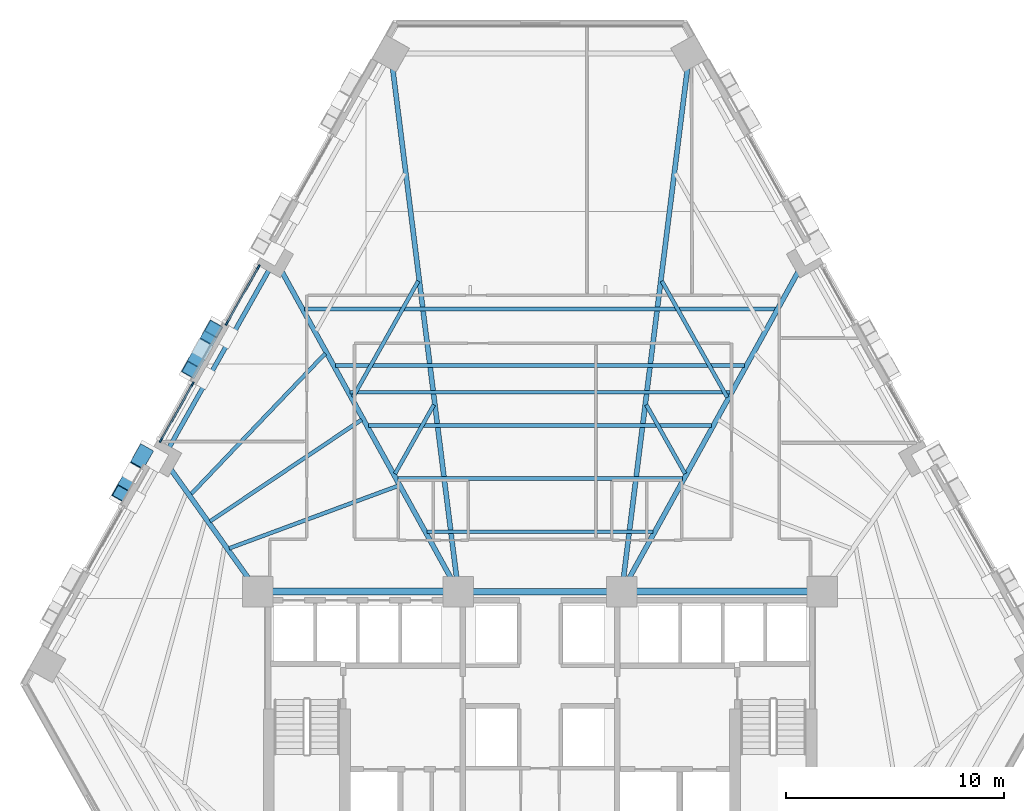
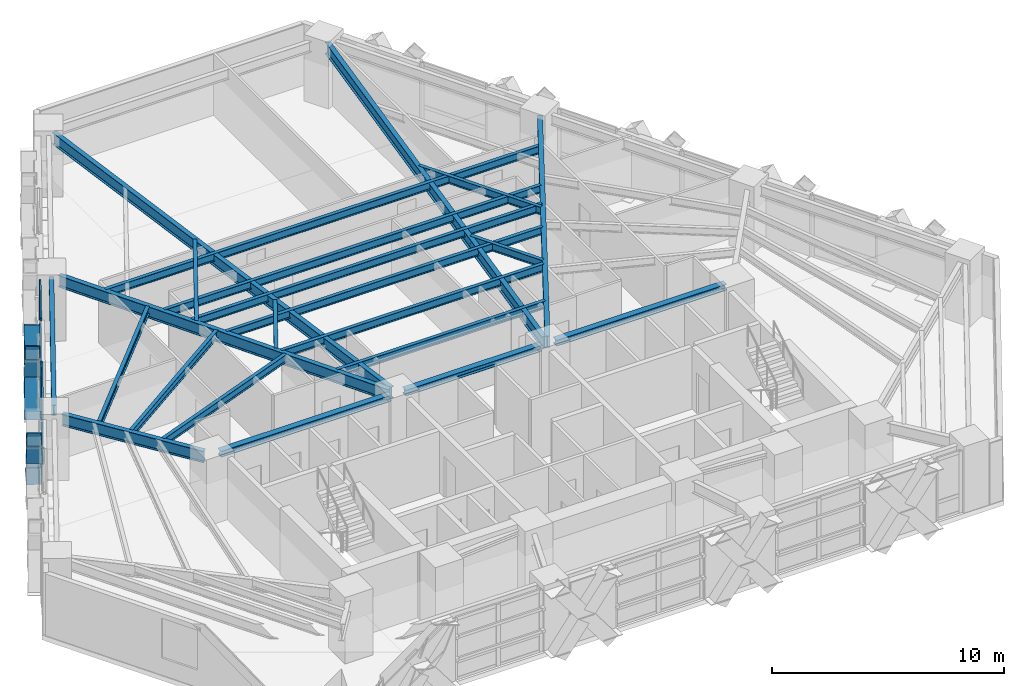
# One storey, part 3 of 13: 22 beams, 15 members, 2 elements without a shape of their own.
"""IFC4 building model written with IfcOpenShell, lengths in metres."""

from ifc_helpers import new_model, si_unit, direction, frame, origin, origin_2d, place, context, subcontext, project, spatial, rectangle, hollow_rectangle, i_section, extrude, material, material_profile, profile_set, type_object, element, aggregate, save


model = new_model("IFC4")

# Units and contexts
model_context = context("Model", 3, precision=1e-05, world=origin(), true_north=direction((0.0, 1.0)))
body_context = subcontext(model_context, "Body", "Model", "MODEL_VIEW")
ifc_project = project(units=[si_unit("LENGTHUNIT", "METRE"), si_unit("AREAUNIT", "SQUARE_METRE"), si_unit("VOLUMEUNIT", "CUBIC_METRE"), si_unit("PLANEANGLEUNIT", "RADIAN"), si_unit("MASSUNIT", "GRAM", prefix="KILO")], contexts=[model_context])

# Site, building, storey
site_placement = place(None, origin())
site = spatial("IfcSite", under=ifc_project, at=site_placement, CompositionType="ELEMENT")
building_placement = place(site_placement, origin())
building = spatial("IfcBuilding", under=site, at=building_placement, Name="Quenlor Broadcast Tower", CompositionType="ELEMENT")
storey_placement = place(building_placement, frame((0.0, 0.0, 52.10009765625)))
storey = spatial("IfcBuildingStorey", under=building, at=storey_placement, Name="L13", CompositionType="ELEMENT", Elevation=52.10009765625)

# Curtain wall, members
ifc_material_1 = material(Name="Architectural Terracotta and Low-E Glazing", Category="masonry")
curtain_wall_type = type_object("IfcCurtainWallType", Name="Unitised Terracotta Curtain Wall System Z1", PredefinedType="NOTDEFINED", material=ifc_material_1)
curtain_wall_1_placement = place(storey_placement, origin())
curtain_wall_1 = element("IfcCurtainWall", 1, at=curtain_wall_1_placement, inside=storey, type_object=curtain_wall_type, Name="L13 Curtain Wall CW1 (L13-NW-G1)", PredefinedType="NOTDEFINED")
ifc_material_2 = material(Name="Aluminium 6063-T6", Category="aluminium")
ifc_material_profile_1 = material_profile(ifc_material_2, rectangle(XDim=0.080078125, YDim=0.219970703125, at=origin_2d()))
ifc_profile_set_1 = profile_set([ifc_material_profile_1], Name="Aluminium 6063-T6 MULL80x220")
member_type_1 = type_object("IfcMemberType", Name="CW1 Aluminium Mullion MULL_CW1", PredefinedType="MULLION", material=ifc_profile_set_1)
member_1_placement = place(storey_placement, frame((-17.39501953125, 2.149169921875, 0.0), z_axis=(0.0, 0.0, 1.0), x_axis=(-0.871568481465, 0.490273782815, 0.0)))
member_1 = element("IfcMember", 2, at=member_1_placement, type_object=member_type_1, Name="CW1 mullion 1", PredefinedType="MULLION", context=body_context, shape_type="SweptSolid", body=[
    extrude(rectangle(XDim=0.080078125, YDim=0.219970703125, at=origin_2d()), origin(), (0.0, 0.0, 1.0), 3.25),
])
member_2_placement = place(storey_placement, frame((-15.94970703125, 4.718505859375, 0.0), z_axis=(0.0, 0.0, 1.0), x_axis=(-0.871568481465, 0.490273782815, 0.0)))
member_2 = element("IfcMember", 3, at=member_2_placement, type_object=member_type_1, Name="CW1 mullion 2", PredefinedType="MULLION", context=body_context, shape_type="SweptSolid", body=[
    extrude(rectangle(XDim=0.080078125, YDim=0.219970703125, at=origin_2d()), origin(), (0.0, 0.0, 1.0), 3.25),
])

curtain_wall_2_placement = place(storey_placement, origin())
curtain_wall_2 = element("IfcCurtainWall", 4, at=curtain_wall_2_placement, inside=storey, type_object=curtain_wall_type, Name="L13 Curtain Wall CW1 (L13-NW-G2)", PredefinedType="NOTDEFINED")
member_3_placement = place(storey_placement, frame((-14.371337890625, 7.524658203125, 0.0), z_axis=(0.0, 0.0, 1.0), x_axis=(-0.871568481465, 0.490273782815, 0.0)))
member_3 = element("IfcMember", 5, at=member_3_placement, type_object=member_type_1, Name="CW1 mullion 1", PredefinedType="MULLION", context=body_context, shape_type="SweptSolid", body=[
    extrude(rectangle(XDim=0.080078125, YDim=0.219970703125, at=origin_2d()), origin(), (0.0, 0.0, 1.0), 3.25),
])
member_4_placement = place(storey_placement, frame((-12.926025390625, 10.09423828125, 0.0), z_axis=(0.0, 0.0, 1.0), x_axis=(-0.871568481465, 0.490273782815, 0.0)))
member_4 = element("IfcMember", 6, at=member_4_placement, type_object=member_type_1, Name="CW1 mullion 2", PredefinedType="MULLION", context=body_context, shape_type="SweptSolid", body=[
    extrude(rectangle(XDim=0.080078125, YDim=0.219970703125, at=origin_2d()), origin(), (0.0, 0.0, 1.0), 3.25),
])

# Member
ifc_material_3 = material(Name="Aluminium 6063-T6", Category="aluminium")
ifc_material_profile_2 = material_profile(ifc_material_3, rectangle(XDim=0.080078125, YDim=0.179931640625, at=origin_2d()))
ifc_profile_set_2 = profile_set([ifc_material_profile_2], Name="Aluminium 6063-T6 TRAN80x180")
member_type_2 = type_object("IfcMemberType", Name="CW1 Aluminium Transom TRAN_CW1", PredefinedType="USERDEFINED", material=ifc_profile_set_2)
member_5_placement = place(storey_placement, frame((-17.37548828125, 2.183837890625, 0.039794921875), z_axis=(0.490297611432, 0.871555076988, 0.0), x_axis=(-0.871555076988, 0.490297611432, 0.0)))
member_5 = element("IfcMember", 7, at=member_5_placement, type_object=member_type_2, Name="CW1 transom 1.1", ObjectType="TRANSOM", PredefinedType="USERDEFINED", context=body_context, shape_type="SweptSolid", body=[
    extrude(rectangle(XDim=0.080078125, YDim=0.179931640625, at=origin_2d()), origin(), (0.0, 0.0, 1.0), 2.8681640625),
])

member_6_placement = place(storey_placement, frame((-17.37548828125, 2.183837890625, 0.949951171875), z_axis=(0.490297611432, 0.871555076988, 0.0), x_axis=(-0.871555076988, 0.490297611432, 0.0)))
member_6 = element("IfcMember", 8, at=member_6_placement, type_object=member_type_2, Name="CW1 transom 1.2", ObjectType="TRANSOM", PredefinedType="USERDEFINED", context=body_context, shape_type="SweptSolid", body=[
    extrude(rectangle(XDim=0.080078125, YDim=0.179931640625, at=origin_2d()), origin(), (0.0, 0.0, 1.0), 2.8681640625),
])

member_7_placement = place(storey_placement, frame((-17.37548828125, 2.183837890625, 3.2099609375), z_axis=(0.490297611432, 0.871555076988, 0.0), x_axis=(-0.871555076988, 0.490297611432, 0.0)))
member_7 = element("IfcMember", 9, at=member_7_placement, type_object=member_type_2, Name="CW1 transom 1.3", ObjectType="TRANSOM", PredefinedType="USERDEFINED", context=body_context, shape_type="SweptSolid", body=[
    extrude(rectangle(XDim=0.080078125, YDim=0.179931640625, at=origin_2d()), origin(), (0.0, 0.0, 1.0), 2.8681640625),
])

aggregate(curtain_wall_1, [member_1, member_2, member_5, member_6, member_7])

member_8_placement = place(storey_placement, frame((-14.3515625, 7.5595703125, 0.039794921875), z_axis=(0.490232948684, 0.871591450179, 0.0), x_axis=(-0.871591450179, 0.490232948684, 0.0)))
member_8 = element("IfcMember", 10, at=member_8_placement, type_object=member_type_2, Name="CW1 transom 1.1", ObjectType="TRANSOM", PredefinedType="USERDEFINED", context=body_context, shape_type="SweptSolid", body=[
    extrude(rectangle(XDim=0.080078125, YDim=0.179931640625, at=origin_2d()), origin(), (0.0, 0.0, 1.0), 2.867919921875),
])

member_9_placement = place(storey_placement, frame((-14.3515625, 7.5595703125, 0.949951171875), z_axis=(0.490232948684, 0.871591450179, 0.0), x_axis=(-0.871591450179, 0.490232948684, 0.0)))
member_9 = element("IfcMember", 11, at=member_9_placement, type_object=member_type_2, Name="CW1 transom 1.2", ObjectType="TRANSOM", PredefinedType="USERDEFINED", context=body_context, shape_type="SweptSolid", body=[
    extrude(rectangle(XDim=0.080078125, YDim=0.179931640625, at=origin_2d()), origin(), (0.0, 0.0, 1.0), 2.867919921875),
])

member_10_placement = place(storey_placement, frame((-14.3515625, 7.5595703125, 3.2099609375), z_axis=(0.490232948684, 0.871591450179, 0.0), x_axis=(-0.871591450179, 0.490232948684, 0.0)))
member_10 = element("IfcMember", 12, at=member_10_placement, type_object=member_type_2, Name="CW1 transom 1.3", ObjectType="TRANSOM", PredefinedType="USERDEFINED", context=body_context, shape_type="SweptSolid", body=[
    extrude(rectangle(XDim=0.080078125, YDim=0.179931640625, at=origin_2d()), origin(), (0.0, 0.0, 1.0), 2.867919921875),
])

aggregate(curtain_wall_2, [member_3, member_4, member_8, member_9, member_10])

# Beams
ifc_material_4 = material(Name="Steel S355", Category="steel")
ifc_material_profile_3 = material_profile(ifc_material_4, i_section(OverallWidth=0.304931640625, OverallDepth=0.30810546875, WebThickness=0.010009765625, FlangeThickness=0.015380859375, FilletRadius=0.0166015625, at=origin_2d()))
ifc_profile_set_3 = profile_set([ifc_material_profile_3], Name="Steel S355 310UC96.8")
beam_type_1 = type_object("IfcBeamType", Name="Core Header Beam Steel S355 310UC96.8", PredefinedType="BEAM", material=ifc_profile_set_3)
beam_1_placement = place(storey_placement, frame((-3.389892578125, -4.800048828125, 3.095947265625), z_axis=(1.0, 0.0, 0.0), x_axis=(0.0, 1.0, 0.0)))
element("IfcBeam", 13, at=beam_1_placement, inside=storey, type_object=beam_type_1, Name="L13 Core Header Beam 2", PredefinedType="BEAM", context=body_context, shape_type="SweptSolid", body=[
    extrude(i_section(OverallWidth=0.304931640625, OverallDepth=0.30810546875, WebThickness=0.010009765625, FlangeThickness=0.015380859375, FilletRadius=0.0166015625, at=origin_2d()), origin(), (0.0, 0.0, 1.0), 6.77978515625),
])
ifc_material_5 = material(Name="Steel S355", Category="steel")
ifc_material_profile_4 = material_profile(ifc_material_5, i_section(OverallWidth=0.306884765625, OverallDepth=0.314697265625, WebThickness=0.011962890625, FlangeThickness=0.018798828125, FilletRadius=0.0166015625, at=origin_2d()))
ifc_profile_set_4 = profile_set([ifc_material_profile_4], Name="Steel S355 310UC118")
beam_type_2 = type_object("IfcBeamType", Name="Core Tie Beam Steel S355 310UC118", PredefinedType="BEAM", material=ifc_profile_set_4)
for number, where, z_axis, x_axis, name in (
    (14, (-12.590087890625, -4.800048828125, 3.092529296875), (1.0, 0.0, 0.0), (0.0, 1.0, 0.0), "L13 Core Tie Beam 1"),
    (15, (4.110107421875, -4.800048828125, 3.092529296875), (1.0, 0.0, 0.0), (0.0, 1.0, 0.0), "L13 Core Tie Beam 3"),
):
    element("IfcBeam", number, at=place(storey_placement, frame(where, z_axis=z_axis, x_axis=x_axis)), inside=storey, type_object=beam_type_2, Name=name, PredefinedType="BEAM", context=body_context, shape_type="SweptSolid", body=[
        extrude(i_section(OverallWidth=0.306884765625, OverallDepth=0.314697265625, WebThickness=0.011962890625, FlangeThickness=0.018798828125, FilletRadius=0.0166015625, at=origin_2d()), origin(), (0.0, 0.0, 1.0), 8.47998046875),
    ])

# Members
ifc_material_6 = material(Name="Steel S355", Category="steel")
ifc_material_profile_5 = material_profile(ifc_material_6, hollow_rectangle(XDim=0.679931640625, YDim=0.679931640625, WallThickness=0.034912109375, at=origin_2d()))
ifc_profile_set_5 = profile_set([ifc_material_profile_5], Name="Steel S355 RHS680x680x35")
member_type_3 = type_object("IfcMemberType", Name="Perimeter Diagonal Lattice Brace Z1 Steel S355 RHS680x35", PredefinedType="BRACE", material=ifc_profile_set_5)
member_11_placement = place(storey_placement, frame((-18.175048828125, 1.56787109375, -0.1201171875), z_axis=(-0.256451721554, -0.455763724789, 0.852356698618), x_axis=(0.871506382136, -0.490384161547, 0.0)))
element("IfcMember", 16, at=member_11_placement, inside=storey, type_object=member_type_3, Name="L13 Perimeter Diamond Lattice NW-C2XB1", PredefinedType="BRACE", context=body_context, shape_type="SweptSolid", body=[
    extrude(hollow_rectangle(XDim=0.679931640625, YDim=0.679931640625, WallThickness=0.034912109375, at=origin_2d()), origin(), (0.0, 0.0, 1.0), 1.802978515625),
])
member_12_placement = place(storey_placement, frame((-18.765625, 0.518310546875, 1.843017578125), z_axis=(-0.256435894674, -0.455870991217, 0.852304095549), x_axis=(0.871568623966, -0.49027352949, 0.0)))
element("IfcMember", 17, at=member_12_placement, inside=storey, type_object=member_type_3, Name="L13 Perimeter Diamond Lattice NW-C2XB2", PredefinedType="BRACE", context=body_context, shape_type="SweptSolid", body=[
    extrude(hollow_rectangle(XDim=0.679931640625, YDim=0.679931640625, WallThickness=0.034912109375, at=origin_2d()), origin(), (0.0, 0.0, 1.0), 1.80322265625),
])
member_13_placement = place(storey_placement, frame((-16.03125, 5.37939453125, -0.1201171875), z_axis=(0.256368393635, 0.455838699906, 0.852341672343), x_axis=(-0.871608931644, 0.490201866865, 0.0)))
element("IfcMember", 18, at=member_13_placement, inside=storey, type_object=member_type_3, Name="L13 Perimeter Diamond Lattice NW-C3XA", PredefinedType="BRACE", context=body_context, shape_type="SweptSolid", body=[
    extrude(hollow_rectangle(XDim=0.679931640625, YDim=0.679931640625, WallThickness=0.034912109375, at=origin_2d()), origin(), (0.0, 0.0, 1.0), 4.1064453125),
])
for number, where, z_axis, x_axis, name in (
    (19, (-14.978515625, 7.251220703125, -0.1201171875), (-0.256309397679, -0.455886815629, 0.852333681135), (0.871679226863, -0.490076856683, 0.0), "L13 Perimeter Diamond Lattice NW-C3XB1"),
    (20, (-15.56884765625, 6.201416015625, 1.843017578125), (-0.256435894674, -0.455870991217, 0.852304095549), (0.871568623966, -0.49027352949, 0.0), "L13 Perimeter Diamond Lattice NW-C3XB2"),
):
    element("IfcMember", number, at=place(storey_placement, frame(where, z_axis=z_axis, x_axis=x_axis)), inside=storey, type_object=member_type_3, Name=name, PredefinedType="BRACE", context=body_context, shape_type="SweptSolid", body=[
        extrude(hollow_rectangle(XDim=0.679931640625, YDim=0.679931640625, WallThickness=0.034912109375, at=origin_2d()), origin(), (0.0, 0.0, 1.0), 1.80322265625),
    ])

# Beams
ifc_material_7 = material(Name="Steel S355", Category="steel")
ifc_material_profile_6 = material_profile(ifc_material_7, i_section(OverallWidth=0.208984375, OverallDepth=0.532958984375, WebThickness=0.01025390625, FlangeThickness=0.015625, FilletRadius=0.013916015625, at=origin_2d()))
ifc_profile_set_6 = profile_set([ifc_material_profile_6], Name="Steel S355 530UB92.4")
beam_type_3 = type_object("IfcBeamType", Name="Perimeter Spandrel Beam Z1 Steel S355 530UB92.4", PredefinedType="SPANDREL", material=ifc_profile_set_6)
beam_2_placement = place(storey_placement, frame((-12.364013671875, 10.093505859375, 2.9833984375), z_axis=(-0.490257642051, -0.871577560755, 0.0), x_axis=(0.871577560755, -0.490257642051, 0.0)))
element("IfcBeam", 21, at=beam_2_placement, inside=storey, type_object=beam_type_3, Name="L13 Spandrel Beam NW2-NW3", PredefinedType="SPANDREL", context=body_context, shape_type="SweptSolid", body=[
    extrude(i_section(OverallWidth=0.208984375, OverallDepth=0.532958984375, WebThickness=0.01025390625, FlangeThickness=0.015625, FilletRadius=0.013916015625, at=origin_2d()), origin(), (0.0, 0.0, 1.0), 9.665771484375),
])
ifc_material_8 = material(Name="Steel S355", Category="steel")
ifc_material_profile_7 = material_profile(ifc_material_8, i_section(OverallWidth=0.177978515625, OverallDepth=0.406494140625, WebThickness=0.0078125, FlangeThickness=0.0126953125, FilletRadius=0.011474609375, at=origin_2d()))
ifc_profile_set_7 = profile_set([ifc_material_profile_7], Name="Steel S355 410UB59.7")
beam_type_4 = type_object("IfcBeamType", Name="Tower Composite Joist Z1 Steel S355 410UB59.7", PredefinedType="JOIST", material=ifc_profile_set_7)
beam_3_placement = place(storey_placement, frame((-5.184326171875, -2.0546875, 3.046630859375), z_axis=(1.0, 0.0, 0.0), x_axis=(0.0, 1.0, 0.0)))
element("IfcBeam", 22, at=beam_3_placement, inside=storey, type_object=beam_type_4, Name="L13 Secondary Composite Joist 1", PredefinedType="JOIST", context=body_context, shape_type="SweptSolid", body=[
    extrude(i_section(OverallWidth=0.177978515625, OverallDepth=0.406494140625, WebThickness=0.0078125, FlangeThickness=0.0126953125, FilletRadius=0.011474609375, at=origin_2d()), origin(), (0.0, 0.0, 1.0), 10.36865234375),
])
beam_4_placement = place(storey_placement, frame((-8.718017578125, 4.3505859375, 3.046630859375), z_axis=(1.0, 0.0, 0.0), x_axis=(0.0, 1.0, 0.0)))
element("IfcBeam", 23, at=beam_4_placement, inside=storey, type_object=beam_type_4, Name="L13 Secondary Composite Joist 2", PredefinedType="JOIST", context=body_context, shape_type="SweptSolid", body=[
    extrude(i_section(OverallWidth=0.177978515625, OverallDepth=0.406494140625, WebThickness=0.0078125, FlangeThickness=0.0126953125, FilletRadius=0.011474609375, at=origin_2d()), origin(), (0.0, 0.0, 1.0), 17.43603515625),
])
beam_5_placement = place(storey_placement, frame((-6.530517578125, 0.38525390625, 3.046630859375), z_axis=(1.0, 0.0, 0.0), x_axis=(0.0, 1.0, 0.0)))
element("IfcBeam", 24, at=beam_5_placement, inside=storey, type_object=beam_type_4, Name="L13 Secondary Composite Joist 3", PredefinedType="JOIST", context=body_context, shape_type="SweptSolid", body=[
    extrude(i_section(OverallWidth=0.177978515625, OverallDepth=0.406494140625, WebThickness=0.0078125, FlangeThickness=0.0126953125, FilletRadius=0.011474609375, at=origin_2d()), origin(), (0.0, 0.0, 1.0), 13.06103515625),
])
beam_6_placement = place(storey_placement, frame((-7.87646484375, 2.825439453125, 3.046630859375), z_axis=(1.0, 0.0, 0.0), x_axis=(0.0, 1.0, 0.0)))
element("IfcBeam", 25, at=beam_6_placement, inside=storey, type_object=beam_type_4, Name="L13 Secondary Composite Joist 4", PredefinedType="JOIST", context=body_context, shape_type="SweptSolid", body=[
    extrude(i_section(OverallWidth=0.177978515625, OverallDepth=0.406494140625, WebThickness=0.0078125, FlangeThickness=0.0126953125, FilletRadius=0.011474609375, at=origin_2d()), origin(), (0.0, 0.0, 1.0), 15.7529296875),
])
beam_7_placement = place(storey_placement, frame((-9.390869140625, 5.570556640625, 3.046630859375), z_axis=(1.0, 0.0, 0.0), x_axis=(0.0, 1.0, 0.0)))
element("IfcBeam", 26, at=beam_7_placement, inside=storey, type_object=beam_type_4, Name="L13 Secondary Composite Joist 5", PredefinedType="JOIST", context=body_context, shape_type="SweptSolid", body=[
    extrude(i_section(OverallWidth=0.177978515625, OverallDepth=0.406494140625, WebThickness=0.0078125, FlangeThickness=0.0126953125, FilletRadius=0.011474609375, at=origin_2d()), origin(), (0.0, 0.0, 1.0), 18.78173828125),
])
beam_8_placement = place(storey_placement, frame((-10.821044921875, 8.163330078125, 3.046630859375), z_axis=(1.0, 0.0, 0.0), x_axis=(0.0, 1.0, 0.0)))
element("IfcBeam", 27, at=beam_8_placement, inside=storey, type_object=beam_type_4, Name="L13 Secondary Composite Joist 6", PredefinedType="JOIST", context=body_context, shape_type="SweptSolid", body=[
    extrude(i_section(OverallWidth=0.177978515625, OverallDepth=0.406494140625, WebThickness=0.0078125, FlangeThickness=0.0126953125, FilletRadius=0.011474609375, at=origin_2d()), origin(), (0.0, 0.0, 1.0), 21.64208984375),
])
beam_9_placement = place(storey_placement, frame((-14.268310546875, -2.81640625, 3.046630859375), z_axis=(0.937824633945, 0.347109429383, 0.0), x_axis=(-0.347109429383, 0.937824633945, 0.0)))
element("IfcBeam", 28, at=beam_9_placement, inside=storey, type_object=beam_type_4, Name="L13 Secondary Composite Joist 7", PredefinedType="JOIST", context=body_context, shape_type="SweptSolid", body=[
    extrude(i_section(OverallWidth=0.177978515625, OverallDepth=0.406494140625, WebThickness=0.0078125, FlangeThickness=0.0126953125, FilletRadius=0.011474609375, at=origin_2d()), origin(), (0.0, 0.0, 1.0), 8.26513671875),
])
beam_10_placement = place(storey_placement, frame((-15.147705078125, -1.577392578125, 3.046630859375), z_axis=(0.830625844363, 0.556830949819, 0.0), x_axis=(-0.556830949819, 0.830625844363, 0.0)))
element("IfcBeam", 29, at=beam_10_placement, inside=storey, type_object=beam_type_4, Name="L13 Secondary Composite Joist 8", PredefinedType="JOIST", context=body_context, shape_type="SweptSolid", body=[
    extrude(i_section(OverallWidth=0.177978515625, OverallDepth=0.406494140625, WebThickness=0.0078125, FlangeThickness=0.0126953125, FilletRadius=0.011474609375, at=origin_2d()), origin(), (0.0, 0.0, 1.0), 8.374755859375),
])
beam_11_placement = place(storey_placement, frame((-16.029541015625, -0.341796875, 3.046630859375), z_axis=(0.690241086162, 0.723579465556, 0.0), x_axis=(-0.723579465556, 0.690241086162, 0.0)))
element("IfcBeam", 30, at=beam_11_placement, inside=storey, type_object=beam_type_4, Name="L13 Secondary Composite Joist 9", PredefinedType="JOIST", context=body_context, shape_type="SweptSolid", body=[
    extrude(i_section(OverallWidth=0.177978515625, OverallDepth=0.406494140625, WebThickness=0.0078125, FlangeThickness=0.0126953125, FilletRadius=0.011474609375, at=origin_2d()), origin(), (0.0, 0.0, 1.0), 8.93408203125),
])
beam_12_placement = place(storey_placement, frame((-4.87451171875, 3.7734375, 3.046630859375), z_axis=(-0.490286766726, -0.871561177642, 0.0), x_axis=(0.871561177642, -0.490286766726, 0.0)))
element("IfcBeam", 31, at=beam_12_placement, inside=storey, type_object=beam_type_4, Name="L13 Secondary Composite Joist 25", PredefinedType="JOIST", context=body_context, shape_type="SweptSolid", body=[
    extrude(i_section(OverallWidth=0.177978515625, OverallDepth=0.406494140625, WebThickness=0.0078125, FlangeThickness=0.0126953125, FilletRadius=0.011474609375, at=origin_2d()), origin(), (0.0, 0.0, 1.0), 3.632568359375),
])
beam_13_placement = place(storey_placement, frame((-5.587646484375, 9.453125, 3.046630859375), z_axis=(-0.490276380443, -0.871567020246, 0.0), x_axis=(0.871567020246, -0.490276380443, 0.0)))
element("IfcBeam", 32, at=beam_13_placement, inside=storey, type_object=beam_type_4, Name="L13 Secondary Composite Joist 26", PredefinedType="JOIST", context=body_context, shape_type="SweptSolid", body=[
    extrude(i_section(OverallWidth=0.177978515625, OverallDepth=0.406494140625, WebThickness=0.0078125, FlangeThickness=0.0126953125, FilletRadius=0.011474609375, at=origin_2d()), origin(), (0.0, 0.0, 1.0), 6.12451171875),
])
beam_14_placement = place(storey_placement, frame((4.87451171875, 3.7734375, 3.046630859375), z_axis=(0.490286766726, -0.871561177642, 0.0), x_axis=(0.871561177642, 0.490286766726, 0.0)))
element("IfcBeam", 33, at=beam_14_placement, inside=storey, type_object=beam_type_4, Name="L13 Secondary Composite Joist 28", PredefinedType="JOIST", context=body_context, shape_type="SweptSolid", body=[
    extrude(i_section(OverallWidth=0.177978515625, OverallDepth=0.406494140625, WebThickness=0.0078125, FlangeThickness=0.0126953125, FilletRadius=0.011474609375, at=origin_2d()), origin(), (0.0, 0.0, 1.0), 3.632568359375),
])
beam_15_placement = place(storey_placement, frame((5.587646484375, 9.453125, 3.046630859375), z_axis=(0.490276380443, -0.871567020246, 0.0), x_axis=(0.871567020246, 0.490276380443, 0.0)))
element("IfcBeam", 34, at=beam_15_placement, inside=storey, type_object=beam_type_4, Name="L13 Secondary Composite Joist 29", PredefinedType="JOIST", context=body_context, shape_type="SweptSolid", body=[
    extrude(i_section(OverallWidth=0.177978515625, OverallDepth=0.406494140625, WebThickness=0.0078125, FlangeThickness=0.0126953125, FilletRadius=0.011474609375, at=origin_2d()), origin(), (0.0, 0.0, 1.0), 6.12451171875),
])
ifc_material_9 = material(Name="Steel S355", Category="steel")
ifc_material_profile_8 = material_profile(ifc_material_9, i_section(OverallWidth=0.22900390625, OverallDepth=0.611572265625, WebThickness=0.011962890625, FlangeThickness=0.01953125, FilletRadius=0.013916015625, at=origin_2d()))
ifc_profile_set_8 = profile_set([ifc_material_profile_8], Name="Steel S355 610UB125")
beam_type_5 = type_object("IfcBeamType", Name="Tower Primary Floor Beam Z1 Steel S355 610UB125", PredefinedType="BEAM", material=ifc_profile_set_8)
beam_16_placement = place(storey_placement, frame((11.965087890625, 10.091796875, 2.944091796875), z_axis=(-0.483026493693, -0.875605736842, 0.0), x_axis=(0.875605736842, -0.483026493693, 0.0)))
element("IfcBeam", 35, at=beam_16_placement, inside=storey, type_object=beam_type_5, Name="L13 Primary Radial Beam NE3", PredefinedType="BEAM", context=body_context, shape_type="SweptSolid", body=[
    extrude(i_section(OverallWidth=0.22900390625, OverallDepth=0.611572265625, WebThickness=0.011962890625, FlangeThickness=0.01953125, FilletRadius=0.013916015625, at=origin_2d()), origin(), (0.0, 0.0, 1.0), 16.62744140625),
])
for number, where, z_axis, x_axis, name in (
    (36, (6.7998046875, 19.48779296875, 2.944091796875), (-0.124589575762, -0.99220836401, 0.0), (0.99220836401, -0.124589575762, 0.0), "L13 Primary Radial Beam NE4"),
    (37, (-6.7998046875, 19.48779296875, 2.944091796875), (0.124589575762, -0.99220836401, 0.0), (0.99220836401, 0.124589575762, 0.0), "L13 Primary Radial Beam NW1"),
):
    element("IfcBeam", number, at=place(storey_placement, frame(where, z_axis=z_axis, x_axis=x_axis)), inside=storey, type_object=beam_type_5, Name=name, PredefinedType="BEAM", context=body_context, shape_type="SweptSolid", body=[
        extrude(i_section(OverallWidth=0.22900390625, OverallDepth=0.611572265625, WebThickness=0.011962890625, FlangeThickness=0.01953125, FilletRadius=0.013916015625, at=origin_2d()), origin(), (0.0, 0.0, 1.0), 24.0986328125),
    ])
beam_17_placement = place(storey_placement, frame((-11.965087890625, 10.091796875, 2.944091796875), z_axis=(0.483026493693, -0.875605736842, 0.0), x_axis=(0.875605736842, 0.483026493693, 0.0)))
element("IfcBeam", 38, at=beam_17_placement, inside=storey, type_object=beam_type_5, Name="L13 Primary Radial Beam NW2", PredefinedType="BEAM", context=body_context, shape_type="SweptSolid", body=[
    extrude(i_section(OverallWidth=0.22900390625, OverallDepth=0.611572265625, WebThickness=0.011962890625, FlangeThickness=0.01953125, FilletRadius=0.013916015625, at=origin_2d()), origin(), (0.0, 0.0, 1.0), 16.62744140625),
])
beam_18_placement = place(storey_placement, frame((-17.06591796875, 0.977783203125, 2.944091796875), z_axis=(0.580212680853, -0.814465005373, 0.0), x_axis=(0.814465005373, 0.580212680853, 0.0)))
element("IfcBeam", 39, at=beam_18_placement, inside=storey, type_object=beam_type_5, Name="L13 Primary Radial Beam NW3", PredefinedType="BEAM", context=body_context, shape_type="SweptSolid", body=[
    extrude(i_section(OverallWidth=0.22900390625, OverallDepth=0.611572265625, WebThickness=0.011962890625, FlangeThickness=0.01953125, FilletRadius=0.013916015625, at=origin_2d()), origin(), (0.0, 0.0, 1.0), 6.7138671875),
])

save(model, "model.ifc")
